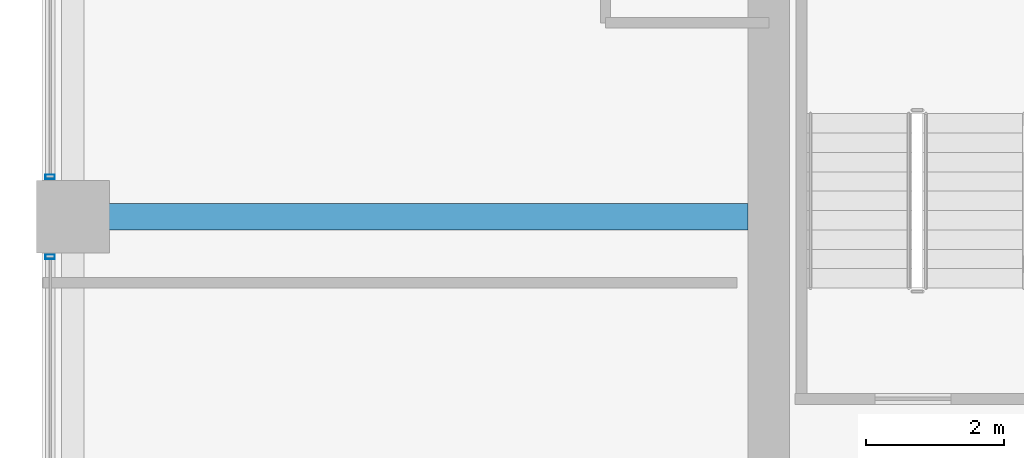
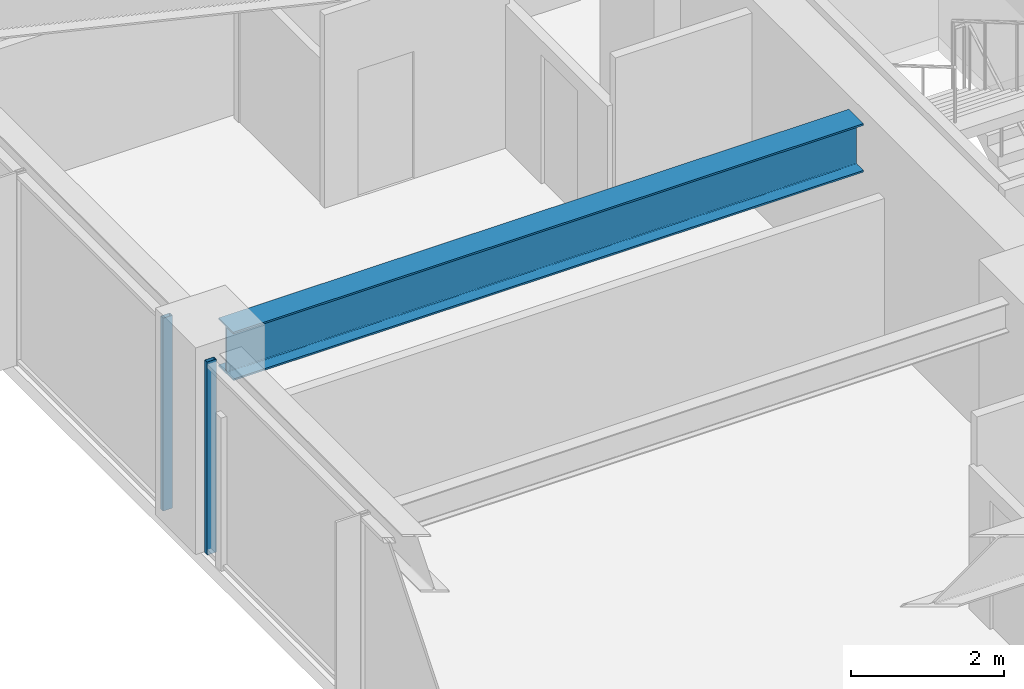
# One storey, part 11 of 38: 2 members, 1 beam, 2 elements without a shape of their own.
"""IFC4 building model written with IfcOpenShell, lengths in metres."""

from ifc_helpers import new_model, si_unit, direction, frame, origin, origin_2d, place, context, subcontext, project, spatial, hollow_rectangle, i_section, extrude, material, material_profile, profile_set, type_object, element, aggregate, save


model = new_model("IFC4")

# Units and contexts
model_context = context("Model", 3, precision=1e-05, world=origin(), true_north=direction((0.0, 1.0)))
body_context = subcontext(model_context, "Body", "Model", "MODEL_VIEW")
ifc_project = project(units=[si_unit("LENGTHUNIT", "METRE"), si_unit("AREAUNIT", "SQUARE_METRE"), si_unit("VOLUMEUNIT", "CUBIC_METRE"), si_unit("PLANEANGLEUNIT", "RADIAN"), si_unit("MASSUNIT", "GRAM", prefix="KILO")], contexts=[model_context])

# Site, building, storey
site_placement = place(None, origin())
site = spatial("IfcSite", under=ifc_project, at=site_placement, CompositionType="ELEMENT")
building_placement = place(site_placement, origin())
building = spatial("IfcBuilding", under=site, at=building_placement, Name="Kolvaren Belvedere", CompositionType="ELEMENT")
storey_placement = place(building_placement, frame((0.0, 0.0, 98.60009765625)))
storey = spatial("IfcBuildingStorey", under=building, at=storey_placement, Name="L28", CompositionType="ELEMENT", Elevation=98.60009765625)

# Beam
ifc_material_1 = material(Name="Structural steel ASTM A992 Grade 50", Category="steel")
ifc_material_profile_1 = material_profile(ifc_material_1, i_section(OverallWidth=0.381103515625, OverallDepth=0.77294921875, WebThickness=0.0166015625, FlangeThickness=0.027099609375, FilletRadius=0.02392578125, at=origin_2d()), Name="W30X173")
ifc_profile_set_1 = profile_set([ifc_material_profile_1], Name="Structural steel ASTM A992 Grade 50")
beam_type = type_object("IfcBeamType", Name="BM-GIRD-W30X173", PredefinedType="BEAM", material=ifc_profile_set_1)
beam_placement = place(storey_placement, frame((-10.199951171875, 4.60009765625, 2.693359375), z_axis=(-1.0, 0.0, 0.0), x_axis=(0.0, -1.0, 0.0)))
element("IfcBeam", 1, at=beam_placement, inside=storey, type_object=beam_type, Name="L28 West Radial Girder P", PredefinedType="BEAM", context=body_context, shape_type="SweptSolid", body=[
    extrude(i_section(OverallWidth=0.381103515625, OverallDepth=0.77294921875, WebThickness=0.0166015625, FlangeThickness=0.027099609375, FilletRadius=0.02392578125, at=origin_2d()), origin(), (0.0, 0.0, 1.0), 9.513916015625),
])

# Curtain wall, member
ifc_material_2 = material(Name="Anodised pale-metal aluminium AA 6063-T6", Category="aluminium")
curtain_wall_type = type_object("IfcCurtainWallType", Name="CW-Z2-MID", PredefinedType="NOTDEFINED", material=ifc_material_2)
curtain_wall_1_placement = place(storey_placement, origin())
curtain_wall_1 = element("IfcCurtainWall", 2, at=curtain_wall_1_placement, inside=storey, type_object=curtain_wall_type, Name="L28 Unitised Curtain Wall FCW-L28-W-B2", PredefinedType="NOTDEFINED")
ifc_material_3 = material(Name="Anodised pale-metal aluminium AA 6063-T6", Category="aluminium")
ifc_material_profile_2 = material_profile(ifc_material_3, hollow_rectangle(XDim=0.06494140625, YDim=0.139892578125, WallThickness=0.00390625, at=origin_2d()), Name="ALU-MUL-140X65")
ifc_profile_set_2 = profile_set([ifc_material_profile_2], Name="Anodised pale-metal aluminium AA 6063-T6")
member_type = type_object("IfcMemberType", Name="CW-MUL-140", PredefinedType="MULLION", material=ifc_profile_set_2)
member_1_placement = place(storey_placement, frame((-20.280029296875, 4.0224609375, 0.0), z_axis=(0.0, 0.0, 1.0), x_axis=(0.0, 1.0, 0.0)))
member_1 = element("IfcMember", 3, at=member_1_placement, type_object=member_type, Name="FCW-L28-W-B2 Unitised Mullion 3", PredefinedType="MULLION", context=body_context, shape_type="SweptSolid", body=[
    extrude(hollow_rectangle(XDim=0.06494140625, YDim=0.139892578125, WallThickness=0.00390625, at=origin_2d()), origin(), (0.0, 0.0, 1.0), 3.079833984375),
])
aggregate(curtain_wall_1, [member_1])

curtain_wall_2_placement = place(storey_placement, origin())
curtain_wall_2 = element("IfcCurtainWall", 4, at=curtain_wall_2_placement, inside=storey, type_object=curtain_wall_type, Name="L28 Unitised Curtain Wall FCW-L28-W-B3", PredefinedType="NOTDEFINED")
member_2_placement = place(storey_placement, frame((-20.280029296875, 5.177490234375, 0.0), z_axis=(0.0, 0.0, 1.0), x_axis=(0.0, 1.0, 0.0)))
member_2 = element("IfcMember", 5, at=member_2_placement, type_object=member_type, Name="FCW-L28-W-B3 Unitised Mullion 1", PredefinedType="MULLION", context=body_context, shape_type="SweptSolid", body=[
    extrude(hollow_rectangle(XDim=0.06494140625, YDim=0.139892578125, WallThickness=0.00390625, at=origin_2d()), origin(), (0.0, 0.0, 1.0), 3.079833984375),
])
aggregate(curtain_wall_2, [member_2])

save(model, "model.ifc")
